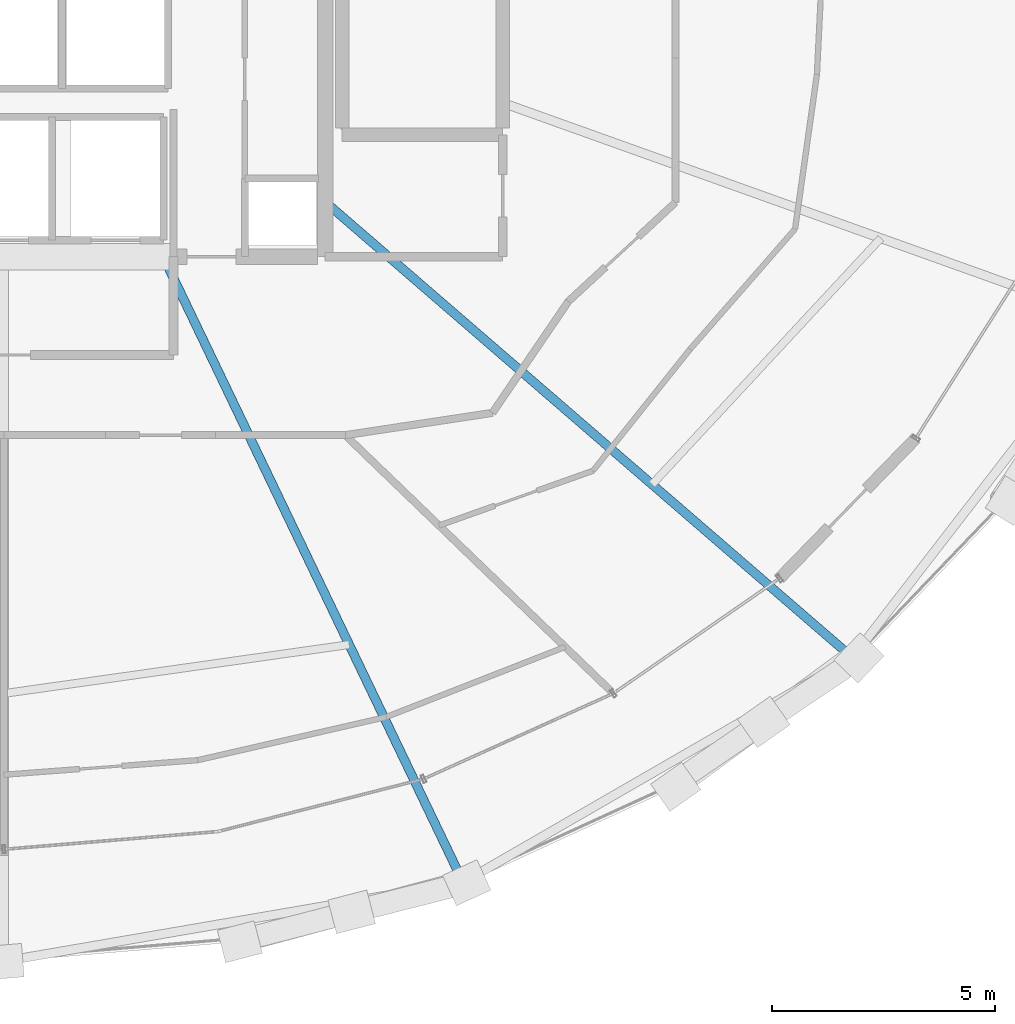
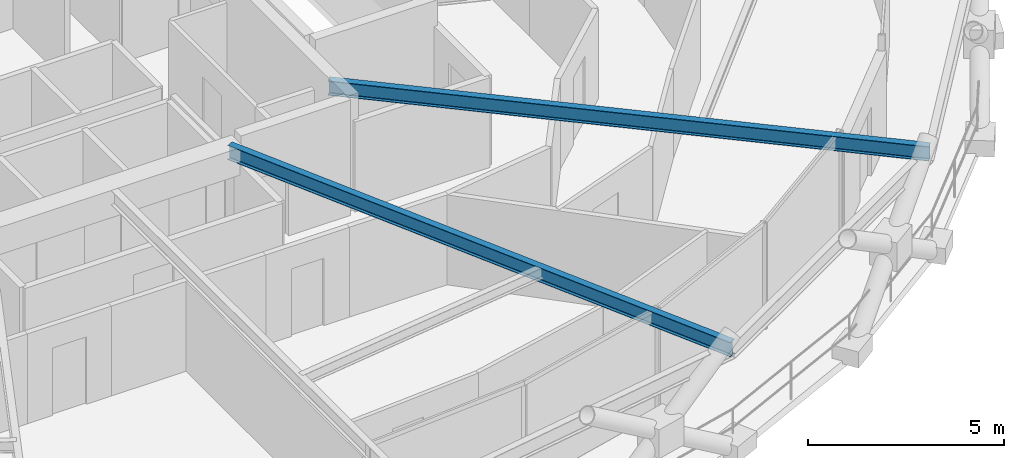
# One storey, part 5 of 16: 2 beams.
"""IFC4 building model written with IfcOpenShell, lengths in metres."""

from ifc_helpers import new_model, si_unit, direction, frame, origin, origin_2d, place, context, subcontext, project, spatial, i_section, extrude, material, material_profile, profile_set, type_object, element, save


model = new_model("IFC4")

# Units and contexts
model_context = context("Model", 3, precision=1e-05, world=origin(), true_north=direction((0.0, 1.0)))
body_context = subcontext(model_context, "Body", "Model", "MODEL_VIEW")
ifc_project = project(units=[si_unit("LENGTHUNIT", "METRE"), si_unit("AREAUNIT", "SQUARE_METRE"), si_unit("VOLUMEUNIT", "CUBIC_METRE"), si_unit("PLANEANGLEUNIT", "RADIAN"), si_unit("MASSUNIT", "GRAM", prefix="KILO")], contexts=[model_context])

# Site, building, storey
site_placement = place(None, origin())
site = spatial("IfcSite", under=ifc_project, at=site_placement, CompositionType="ELEMENT")
building_placement = place(site_placement, origin())
building = spatial("IfcBuilding", under=site, at=building_placement, Name="Veldorina Hangang Commons", CompositionType="ELEMENT")
storey_placement = place(building_placement, frame((0.0, 0.0, 189.199951171875)))
storey = spatial("IfcBuildingStorey", under=building, at=storey_placement, Name="L49", CompositionType="ELEMENT", Elevation=189.199951171875)

# Beams
ifc_material = material(Name="Steel SM355-TMC", Category="steel")
ifc_material_profile = material_profile(ifc_material, i_section(OverallWidth=0.199951171875, OverallDepth=0.449951171875, WebThickness=0.009033203125, FlangeThickness=0.013916015625, FilletRadius=0.01611328125, at=origin_2d()), Name="H-450x200x9x14")
ifc_profile_set = profile_set([ifc_material_profile], Name="Steel SM355-TMC")
beam_type = type_object("IfcBeamType", Name="BM-FG450", PredefinedType="BEAM", material=ifc_profile_set)
beam_1_placement = place(storey_placement, frame((35.57080078125, 16.550048828125, 3.125), z_axis=(0.432242013967, -0.901757640035, 0.0), x_axis=(0.901757640035, 0.432242013967, 0.0)))
element("IfcBeam", 1, at=beam_1_placement, inside=storey, type_object=beam_type, Name="L49 radial floor girder 14", PredefinedType="BEAM", context=body_context, shape_type="SweptSolid", body=[
    extrude(i_section(OverallWidth=0.199951171875, OverallDepth=0.449951171875, WebThickness=0.009033203125, FlangeThickness=0.013916015625, FilletRadius=0.01611328125, at=origin_2d()), origin(), (0.0, 0.0, 1.0), 15.549560546875),
])
beam_2_placement = place(storey_placement, frame((39.199951171875, 17.778076171875, 3.125), z_axis=(0.756619810777, -0.65385507717, 0.0), x_axis=(0.65385507717, 0.756619810777, 0.0)))
element("IfcBeam", 2, at=beam_2_placement, inside=storey, type_object=beam_type, Name="L49 radial floor girder 15", PredefinedType="BEAM", context=body_context, shape_type="SweptSolid", body=[
    extrude(i_section(OverallWidth=0.199951171875, OverallDepth=0.449951171875, WebThickness=0.009033203125, FlangeThickness=0.013916015625, FilletRadius=0.01611328125, at=origin_2d()), origin(), (0.0, 0.0, 1.0), 15.617919921875),
])

save(model, "model.ifc")
